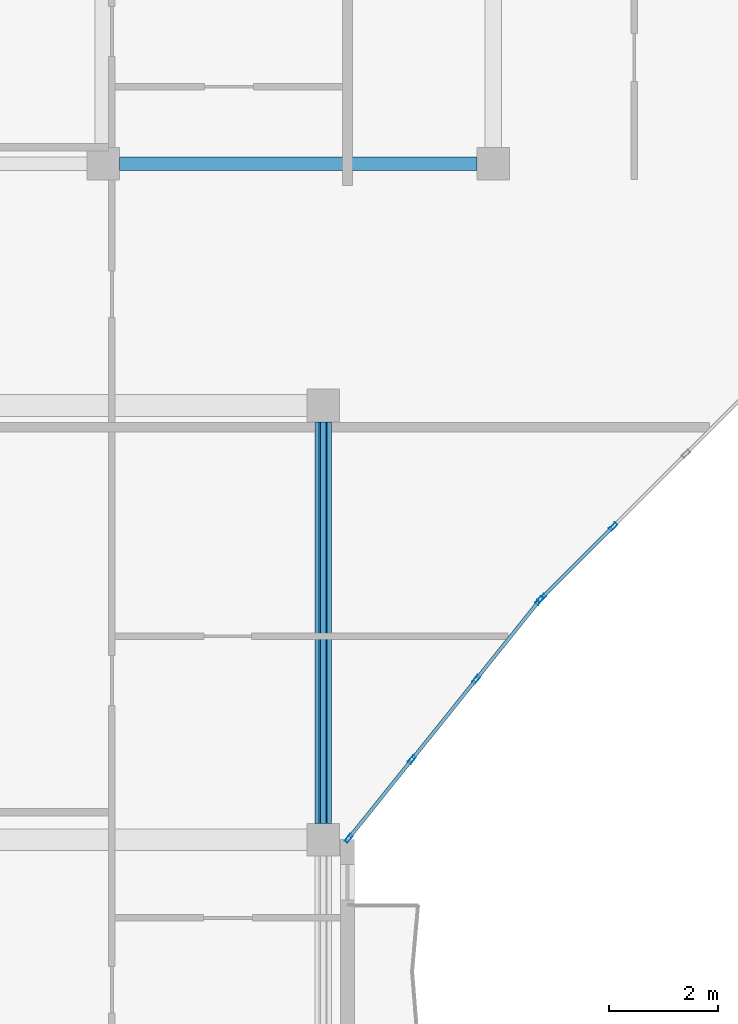
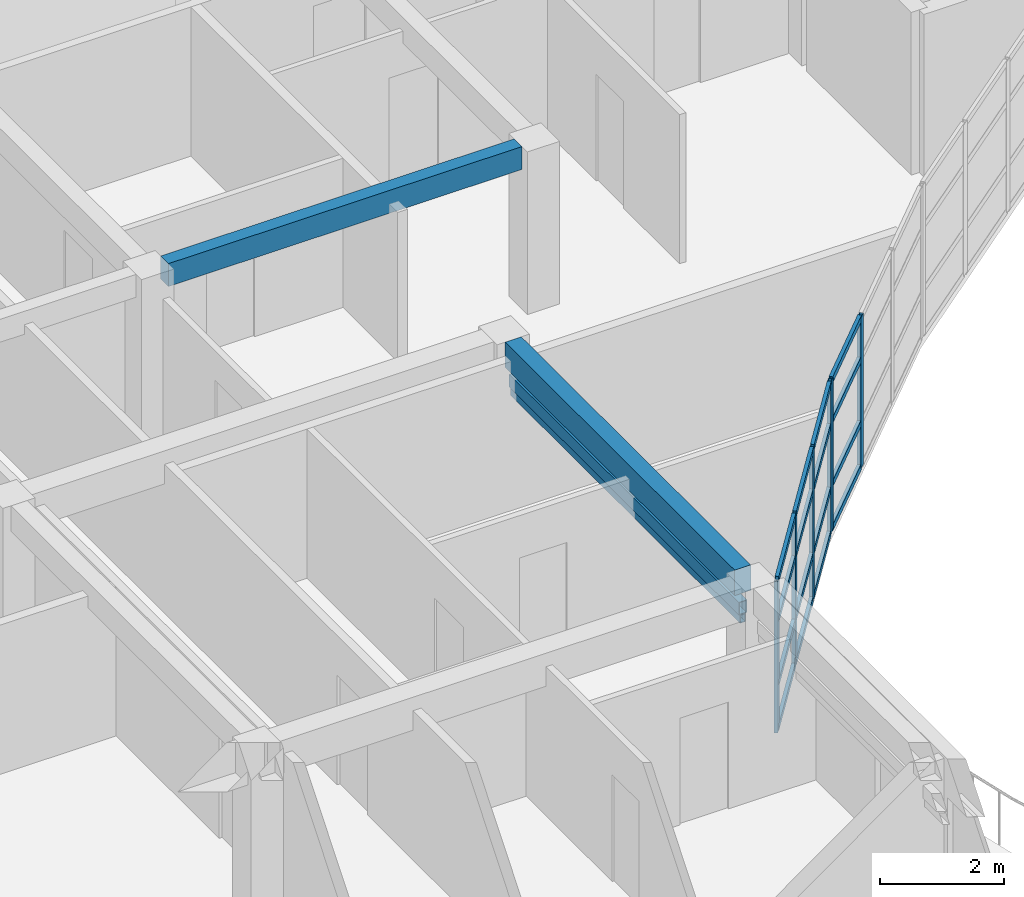
# One storey, part 16 of 76: 24 members, 2 beams, 2 elements without a shape of their own.
"""IFC4 building model written with IfcOpenShell, lengths in metres."""

from ifc_helpers import new_model, si_unit, direction, frame, origin, origin_2d, place, context, subcontext, project, spatial, rectangle, hollow_rectangle, extrude, material, layer, layer_set, material_profile, profile_set, type_object, element, aggregate, save


model = new_model("IFC4")

# Units and contexts
model_context = context("Model", 3, precision=1e-05, world=origin(), true_north=direction((0.0, 1.0)))
body_context = subcontext(model_context, "Body", "Model", "MODEL_VIEW")
ifc_project = project(units=[si_unit("LENGTHUNIT", "METRE"), si_unit("AREAUNIT", "SQUARE_METRE"), si_unit("VOLUMEUNIT", "CUBIC_METRE"), si_unit("PLANEANGLEUNIT", "RADIAN"), si_unit("MASSUNIT", "GRAM", prefix="KILO")], contexts=[model_context])

# Site, building, storey
site_placement = place(None, origin())
site = spatial("IfcSite", under=ifc_project, at=site_placement, CompositionType="ELEMENT")
building_placement = place(site_placement, origin())
building = spatial("IfcBuilding", under=site, at=building_placement, Name="Keldmere Railside Commons", CompositionType="ELEMENT")
storey_placement = place(building_placement, frame((0.0, 0.0, 13.760009765625)))
storey = spatial("IfcBuildingStorey", under=building, at=storey_placement, Name="L04", CompositionType="ELEMENT", Elevation=13.760009765625)

# Member
ifc_material_1 = material(Name="Steel F-36 (S355)", Category="steel")
ifc_material_profile_1 = material_profile(ifc_material_1, hollow_rectangle(XDim=0.14990234375, YDim=0.25, WallThickness=0.010009765625, at=origin_2d()), Name="RHS-250x150x10")
ifc_profile_set_1 = profile_set([ifc_material_profile_1], Name="Steel F-36 (S355)")
member_type_1 = type_object("IfcMemberType", Name="Balcony Continuous Planted Trough RHS250x150", PredefinedType="CHORD", material=ifc_profile_set_1)
member_1_placement = place(storey_placement, frame((119.550048828125, 88.300048828125, 2.4150390625), z_axis=(0.0, 1.0, 0.0), x_axis=(-1.0, 0.0, 0.0)))
element("IfcMember", 1, at=member_1_placement, inside=storey, type_object=member_type_1, Name="PLT-1 MEM-BPLT-0533", PredefinedType="CHORD", context=body_context, shape_type="SweptSolid", body=[
    extrude(hollow_rectangle(XDim=0.14990234375, YDim=0.25, WallThickness=0.010009765625, at=origin_2d()), origin(), (0.0, 0.0, 1.0), 7.39990234375),
])

# Beams
ifc_material_2 = material(Name="Architectural Precast Concrete H-35 (C35/45)", Category="concrete")
ifc_material_profile_2 = material_profile(ifc_material_2, rectangle(XDim=0.25, YDim=0.449951171875, at=origin_2d()), Name="RC-250x450")
ifc_profile_set_2 = profile_set([ifc_material_profile_2], Name="Architectural Precast Concrete H-35 (C35/45)")
beam_type_1 = type_object("IfcBeamType", Name="Perimeter Precast Spandrel Beam 250x450", PredefinedType="SPANDREL", material=ifc_profile_set_2)
beam_1_placement = place(storey_placement, frame((115.800048828125, 100.449951171875, 2.97509765625), z_axis=(1.0, 0.0, 0.0), x_axis=(0.0, 1.0, 0.0)))
element("IfcBeam", 2, at=beam_1_placement, inside=storey, type_object=beam_type_1, Name="SPB-1 BM-L04-1561", PredefinedType="SPANDREL", context=body_context, shape_type="SweptSolid", body=[
    extrude(rectangle(XDim=0.25, YDim=0.449951171875, at=origin_2d()), origin(), (0.0, 0.0, 1.0), 6.5830078125),
])
ifc_material_3 = material(Name="Concrete H-30 (C30/37)", Category="concrete")
ifc_material_profile_3 = material_profile(ifc_material_3, rectangle(XDim=0.300048828125, YDim=0.5, at=origin_2d()), Name="RC-300x500")
ifc_profile_set_3 = profile_set([ifc_material_profile_3], Name="Concrete H-30 (C30/37)")
beam_type_2 = type_object("IfcBeamType", Name="Secondary Frame RC Beam 300x500", PredefinedType="BEAM", material=ifc_profile_set_3)
beam_2_placement = place(storey_placement, frame((119.550048828125, 88.300048828125, 2.949951171875), z_axis=(0.0, 1.0, 0.0), x_axis=(-1.0, 0.0, 0.0)))
element("IfcBeam", 3, at=beam_2_placement, inside=storey, type_object=beam_type_2, Name="BG-5 BM-L04-1662", PredefinedType="BEAM", context=body_context, shape_type="SweptSolid", body=[
    extrude(rectangle(XDim=0.300048828125, YDim=0.5, at=origin_2d()), origin(), (0.0, 0.0, 1.0), 7.39990234375),
])

# Member
ifc_material_profile_4 = material_profile(ifc_material_1, hollow_rectangle(XDim=0.10009765625, YDim=0.159912109375, WallThickness=0.008056640625, at=origin_2d()), Name="RHS-160x100x8")
ifc_profile_set_4 = profile_set([ifc_material_profile_4], Name="Steel F-36 (S355)")
member_type_2 = type_object("IfcMemberType", Name="Solar Brise-Soleil Louvre Fin RHS160x100", PredefinedType="STRUT", material=ifc_profile_set_4)
member_2_placement = place(storey_placement, frame((119.550048828125, 88.300048828125, 2.199951171875), z_axis=(0.0, 1.0, 0.0), x_axis=(-1.0, 0.0, 0.0)))
element("IfcMember", 4, at=member_2_placement, inside=storey, type_object=member_type_2, Name="BSF-1 MEM-BSF-0534", PredefinedType="STRUT", context=body_context, shape_type="SweptSolid", body=[
    extrude(hollow_rectangle(XDim=0.10009765625, YDim=0.159912109375, WallThickness=0.008056640625, at=origin_2d()), origin(), (0.0, 0.0, 1.0), 7.39990234375),
])

# Curtain wall, members
ifc_material_4 = material(Name="Thermally Broken Aluminium", Category="aluminium")
ifc_layer_1 = layer(ifc_material_4, 0.159912109375, Name="Court Chord Wintergarden CW 4800x2850")
ifc_layer_set_1 = layer_set([ifc_layer_1], Name="Thermally Broken Aluminium")
curtain_wall_type_1 = type_object("IfcCurtainWallType", Name="Court Chord Wintergarden CW 4800x2850", PredefinedType="NOTDEFINED", material=ifc_layer_set_1)
curtain_wall_1_placement = place(storey_placement, origin())
curtain_wall_1 = element("IfcCurtainWall", 5, at=curtain_wall_1_placement, inside=storey, type_object=curtain_wall_type_1, Name="CW-12 CW-L04-109", PredefinedType="NOTDEFINED")
ifc_material_profile_5 = material_profile(ifc_material_4, hollow_rectangle(XDim=0.06494140625, YDim=0.159912109375, WallThickness=0.00390625, at=origin_2d()), Name="ALU-MULL-65x160")
ifc_profile_set_5 = profile_set([ifc_material_profile_5], Name="Thermally Broken Aluminium")
member_type_3 = type_object("IfcMemberType", Name="Unitised Curtain Wall Mullion 65x160", PredefinedType="MULLION", material=ifc_profile_set_5)
member_3_placement = place(storey_placement, frame((123.53369140625, 92.404541015625, 0.0), z_axis=(0.0, 0.0, 1.0), x_axis=(0.780009172323, -0.625768080915, 0.0)))
member_3 = element("IfcMember", 6, at=member_3_placement, type_object=member_type_3, Name="CW-12 mullion 1", PredefinedType="MULLION", context=body_context, shape_type="SweptSolid", body=[
    extrude(hollow_rectangle(XDim=0.06494140625, YDim=0.159912109375, WallThickness=0.00390625, at=origin_2d()), origin(), (0.0, 0.0, 1.0), 2.97998046875),
])
member_4_placement = place(storey_placement, frame((122.369384765625, 90.953369140625, 0.0), z_axis=(0.0, 0.0, 1.0), x_axis=(0.780009172323, -0.625768080915, 0.0)))
member_4 = element("IfcMember", 7, at=member_4_placement, type_object=member_type_3, Name="CW-12 mullion 2", PredefinedType="MULLION", context=body_context, shape_type="SweptSolid", body=[
    extrude(hollow_rectangle(XDim=0.06494140625, YDim=0.159912109375, WallThickness=0.00390625, at=origin_2d()), origin(), (0.0, 0.0, 1.0), 2.97998046875),
])
member_5_placement = place(storey_placement, frame((121.1845703125, 89.4765625, 0.0), z_axis=(0.0, 0.0, 1.0), x_axis=(0.780009172323, -0.625768080915, 0.0)))
member_5 = element("IfcMember", 8, at=member_5_placement, type_object=member_type_3, Name="CW-12 mullion 3", PredefinedType="MULLION", context=body_context, shape_type="SweptSolid", body=[
    extrude(hollow_rectangle(XDim=0.06494140625, YDim=0.159912109375, WallThickness=0.00390625, at=origin_2d()), origin(), (0.0, 0.0, 1.0), 2.97998046875),
])
member_6_placement = place(storey_placement, frame((120.020263671875, 88.025390625, 0.0), z_axis=(0.0, 0.0, 1.0), x_axis=(0.780009172323, -0.625768080915, 0.0)))
member_6 = element("IfcMember", 9, at=member_6_placement, type_object=member_type_3, Name="CW-12 mullion 4", PredefinedType="MULLION", context=body_context, shape_type="SweptSolid", body=[
    extrude(hollow_rectangle(XDim=0.06494140625, YDim=0.159912109375, WallThickness=0.00390625, at=origin_2d()), origin(), (0.0, 0.0, 1.0), 2.97998046875),
])

ifc_layer_2 = layer(ifc_material_4, 0.159912109375, Name="Court Chord Wintergarden CW 5400x2850")
ifc_layer_set_2 = layer_set([ifc_layer_2], Name="Thermally Broken Aluminium")
curtain_wall_type_2 = type_object("IfcCurtainWallType", Name="Court Chord Wintergarden CW 5400x2850", PredefinedType="NOTDEFINED", material=ifc_layer_set_2)
curtain_wall_2_placement = place(storey_placement, origin())
curtain_wall_2 = element("IfcCurtainWall", 10, at=curtain_wall_2_placement, inside=storey, type_object=curtain_wall_type_2, Name="CW-13 CW-L04-110", PredefinedType="NOTDEFINED")
member_7_placement = place(storey_placement, frame((124.892578125, 93.7685546875, 0.0), z_axis=(0.0, 0.0, 1.0), x_axis=(0.707106781187, -0.707106781187, 0.0)))
member_7 = element("IfcMember", 11, at=member_7_placement, type_object=member_type_3, Name="CW-13 mullion 3", PredefinedType="MULLION", context=body_context, shape_type="SweptSolid", body=[
    extrude(hollow_rectangle(XDim=0.06494140625, YDim=0.159912109375, WallThickness=0.00390625, at=origin_2d()), origin(), (0.0, 0.0, 1.0), 2.97998046875),
])
member_8_placement = place(storey_placement, frame((123.576904296875, 92.452880859375, 0.0), z_axis=(0.0, 0.0, 1.0), x_axis=(0.707106781187, -0.707106781187, 0.0)))
member_8 = element("IfcMember", 12, at=member_8_placement, type_object=member_type_3, Name="CW-13 mullion 4", PredefinedType="MULLION", context=body_context, shape_type="SweptSolid", body=[
    extrude(hollow_rectangle(XDim=0.06494140625, YDim=0.159912109375, WallThickness=0.00390625, at=origin_2d()), origin(), (0.0, 0.0, 1.0), 2.97998046875),
])

# Member
ifc_material_profile_6 = material_profile(ifc_material_4, hollow_rectangle(XDim=0.06494140625, YDim=0.1201171875, WallThickness=0.00390625, at=origin_2d()), Name="ALU-TRAN-65x120")
ifc_profile_set_6 = profile_set([ifc_material_profile_6], Name="Thermally Broken Aluminium")
member_type_4 = type_object("IfcMemberType", Name="Unitised Curtain Wall Transom 65x120", PredefinedType="USERDEFINED", material=ifc_profile_set_6)
member_9_placement = place(storey_placement, frame((123.513427734375, 92.37939453125, 0.032470703125), z_axis=(-0.625805275091, -0.779979331565, 0.0), x_axis=(0.779979331565, -0.625805275091, 0.0)))
member_9 = element("IfcMember", 13, at=member_9_placement, type_object=member_type_4, Name="CW-12 transom 1.1", ObjectType="TRANSOM", PredefinedType="USERDEFINED", context=body_context, shape_type="SweptSolid", body=[
    extrude(hollow_rectangle(XDim=0.06494140625, YDim=0.1201171875, WallThickness=0.00390625, at=origin_2d()), origin(), (0.0, 0.0, 1.0), 1.795654296875),
])

member_10_placement = place(storey_placement, frame((123.513427734375, 92.37939453125, 0.89990234375), z_axis=(-0.625805275091, -0.779979331565, 0.0), x_axis=(0.779979331565, -0.625805275091, 0.0)))
member_10 = element("IfcMember", 14, at=member_10_placement, type_object=member_type_4, Name="CW-12 transom 1.2", ObjectType="TRANSOM", PredefinedType="USERDEFINED", context=body_context, shape_type="SweptSolid", body=[
    extrude(hollow_rectangle(XDim=0.06494140625, YDim=0.1201171875, WallThickness=0.00390625, at=origin_2d()), origin(), (0.0, 0.0, 1.0), 1.795654296875),
])

member_11_placement = place(storey_placement, frame((123.513427734375, 92.37939453125, 2.14990234375), z_axis=(-0.625805275091, -0.779979331565, 0.0), x_axis=(0.779979331565, -0.625805275091, 0.0)))
member_11 = element("IfcMember", 15, at=member_11_placement, type_object=member_type_4, Name="CW-12 transom 1.3", ObjectType="TRANSOM", PredefinedType="USERDEFINED", context=body_context, shape_type="SweptSolid", body=[
    extrude(hollow_rectangle(XDim=0.06494140625, YDim=0.1201171875, WallThickness=0.00390625, at=origin_2d()), origin(), (0.0, 0.0, 1.0), 1.795654296875),
])

member_12_placement = place(storey_placement, frame((123.513427734375, 92.37939453125, 2.947509765625), z_axis=(-0.625805275091, -0.779979331565, 0.0), x_axis=(0.779979331565, -0.625805275091, 0.0)))
member_12 = element("IfcMember", 16, at=member_12_placement, type_object=member_type_4, Name="CW-12 transom 1.4", ObjectType="TRANSOM", PredefinedType="USERDEFINED", context=body_context, shape_type="SweptSolid", body=[
    extrude(hollow_rectangle(XDim=0.06494140625, YDim=0.1201171875, WallThickness=0.00390625, at=origin_2d()), origin(), (0.0, 0.0, 1.0), 1.795654296875),
])

member_13_placement = place(storey_placement, frame((122.348876953125, 90.927978515625, 0.032470703125), z_axis=(-0.625688033635, -0.78007338409, 0.0), x_axis=(0.78007338409, -0.625688033635, 0.0)))
member_13 = element("IfcMember", 17, at=member_13_placement, type_object=member_type_4, Name="CW-12 transom 2.1", ObjectType="TRANSOM", PredefinedType="USERDEFINED", context=body_context, shape_type="SweptSolid", body=[
    extrude(hollow_rectangle(XDim=0.06494140625, YDim=0.1201171875, WallThickness=0.00390625, at=origin_2d()), origin(), (0.0, 0.0, 1.0), 1.828125),
])

member_14_placement = place(storey_placement, frame((122.348876953125, 90.927978515625, 0.89990234375), z_axis=(-0.625688033635, -0.78007338409, 0.0), x_axis=(0.78007338409, -0.625688033635, 0.0)))
member_14 = element("IfcMember", 18, at=member_14_placement, type_object=member_type_4, Name="CW-12 transom 2.2", ObjectType="TRANSOM", PredefinedType="USERDEFINED", context=body_context, shape_type="SweptSolid", body=[
    extrude(hollow_rectangle(XDim=0.06494140625, YDim=0.1201171875, WallThickness=0.00390625, at=origin_2d()), origin(), (0.0, 0.0, 1.0), 1.828125),
])

member_15_placement = place(storey_placement, frame((122.348876953125, 90.927978515625, 2.14990234375), z_axis=(-0.625688033635, -0.78007338409, 0.0), x_axis=(0.78007338409, -0.625688033635, 0.0)))
member_15 = element("IfcMember", 19, at=member_15_placement, type_object=member_type_4, Name="CW-12 transom 2.3", ObjectType="TRANSOM", PredefinedType="USERDEFINED", context=body_context, shape_type="SweptSolid", body=[
    extrude(hollow_rectangle(XDim=0.06494140625, YDim=0.1201171875, WallThickness=0.00390625, at=origin_2d()), origin(), (0.0, 0.0, 1.0), 1.828125),
])

member_16_placement = place(storey_placement, frame((122.348876953125, 90.927978515625, 2.947509765625), z_axis=(-0.625688033635, -0.78007338409, 0.0), x_axis=(0.78007338409, -0.625688033635, 0.0)))
member_16 = element("IfcMember", 20, at=member_16_placement, type_object=member_type_4, Name="CW-12 transom 2.4", ObjectType="TRANSOM", PredefinedType="USERDEFINED", context=body_context, shape_type="SweptSolid", body=[
    extrude(hollow_rectangle(XDim=0.06494140625, YDim=0.1201171875, WallThickness=0.00390625, at=origin_2d()), origin(), (0.0, 0.0, 1.0), 1.828125),
])

member_17_placement = place(storey_placement, frame((121.164306640625, 89.451416015625, 0.032470703125), z_axis=(-0.625722553313, -0.780045694992, 0.0), x_axis=(0.780045694992, -0.625722553313, 0.0)))
member_17 = element("IfcMember", 21, at=member_17_placement, type_object=member_type_4, Name="CW-12 transom 3.1", ObjectType="TRANSOM", PredefinedType="USERDEFINED", context=body_context, shape_type="SweptSolid", body=[
    extrude(hollow_rectangle(XDim=0.06494140625, YDim=0.1201171875, WallThickness=0.00390625, at=origin_2d()), origin(), (0.0, 0.0, 1.0), 1.795654296875),
])

member_18_placement = place(storey_placement, frame((121.164306640625, 89.451416015625, 0.89990234375), z_axis=(-0.625722553313, -0.780045694992, 0.0), x_axis=(0.780045694992, -0.625722553313, 0.0)))
member_18 = element("IfcMember", 22, at=member_18_placement, type_object=member_type_4, Name="CW-12 transom 3.2", ObjectType="TRANSOM", PredefinedType="USERDEFINED", context=body_context, shape_type="SweptSolid", body=[
    extrude(hollow_rectangle(XDim=0.06494140625, YDim=0.1201171875, WallThickness=0.00390625, at=origin_2d()), origin(), (0.0, 0.0, 1.0), 1.795654296875),
])

member_19_placement = place(storey_placement, frame((121.164306640625, 89.451416015625, 2.14990234375), z_axis=(-0.625722553313, -0.780045694992, 0.0), x_axis=(0.780045694992, -0.625722553313, 0.0)))
member_19 = element("IfcMember", 23, at=member_19_placement, type_object=member_type_4, Name="CW-12 transom 3.3", ObjectType="TRANSOM", PredefinedType="USERDEFINED", context=body_context, shape_type="SweptSolid", body=[
    extrude(hollow_rectangle(XDim=0.06494140625, YDim=0.1201171875, WallThickness=0.00390625, at=origin_2d()), origin(), (0.0, 0.0, 1.0), 1.795654296875),
])

member_20_placement = place(storey_placement, frame((121.164306640625, 89.451416015625, 2.947509765625), z_axis=(-0.625722553313, -0.780045694992, 0.0), x_axis=(0.780045694992, -0.625722553313, 0.0)))
member_20 = element("IfcMember", 24, at=member_20_placement, type_object=member_type_4, Name="CW-12 transom 3.4", ObjectType="TRANSOM", PredefinedType="USERDEFINED", context=body_context, shape_type="SweptSolid", body=[
    extrude(hollow_rectangle(XDim=0.06494140625, YDim=0.1201171875, WallThickness=0.00390625, at=origin_2d()), origin(), (0.0, 0.0, 1.0), 1.795654296875),
])

aggregate(curtain_wall_1, [member_3, member_4, member_5, member_6, member_9, member_10, member_11, member_12, member_13, member_14, member_15, member_16, member_17, member_18, member_19, member_20])

member_21_placement = place(storey_placement, frame((124.86962890625, 93.74560546875, 0.032470703125), z_axis=(-0.707174762418, -0.707038793419, 0.0), x_axis=(0.707038793419, -0.707174762418, 0.0)))
member_21 = element("IfcMember", 25, at=member_21_placement, type_object=member_type_4, Name="CW-13 transom 3.1", ObjectType="TRANSOM", PredefinedType="USERDEFINED", context=body_context, shape_type="SweptSolid", body=[
    extrude(hollow_rectangle(XDim=0.06494140625, YDim=0.1201171875, WallThickness=0.00390625, at=origin_2d()), origin(), (0.0, 0.0, 1.0), 1.795654296875),
])

member_22_placement = place(storey_placement, frame((124.86962890625, 93.74560546875, 0.89990234375), z_axis=(-0.707174762418, -0.707038793419, 0.0), x_axis=(0.707038793419, -0.707174762418, 0.0)))
member_22 = element("IfcMember", 26, at=member_22_placement, type_object=member_type_4, Name="CW-13 transom 3.2", ObjectType="TRANSOM", PredefinedType="USERDEFINED", context=body_context, shape_type="SweptSolid", body=[
    extrude(hollow_rectangle(XDim=0.06494140625, YDim=0.1201171875, WallThickness=0.00390625, at=origin_2d()), origin(), (0.0, 0.0, 1.0), 1.795654296875),
])

member_23_placement = place(storey_placement, frame((124.86962890625, 93.74560546875, 2.14990234375), z_axis=(-0.707174762418, -0.707038793419, 0.0), x_axis=(0.707038793419, -0.707174762418, 0.0)))
member_23 = element("IfcMember", 27, at=member_23_placement, type_object=member_type_4, Name="CW-13 transom 3.3", ObjectType="TRANSOM", PredefinedType="USERDEFINED", context=body_context, shape_type="SweptSolid", body=[
    extrude(hollow_rectangle(XDim=0.06494140625, YDim=0.1201171875, WallThickness=0.00390625, at=origin_2d()), origin(), (0.0, 0.0, 1.0), 1.795654296875),
])

member_24_placement = place(storey_placement, frame((124.86962890625, 93.74560546875, 2.947509765625), z_axis=(-0.707174762418, -0.707038793419, 0.0), x_axis=(0.707038793419, -0.707174762418, 0.0)))
member_24 = element("IfcMember", 28, at=member_24_placement, type_object=member_type_4, Name="CW-13 transom 3.4", ObjectType="TRANSOM", PredefinedType="USERDEFINED", context=body_context, shape_type="SweptSolid", body=[
    extrude(hollow_rectangle(XDim=0.06494140625, YDim=0.1201171875, WallThickness=0.00390625, at=origin_2d()), origin(), (0.0, 0.0, 1.0), 1.795654296875),
])

aggregate(curtain_wall_2, [member_7, member_8, member_21, member_22, member_23, member_24])

save(model, "model.ifc")
